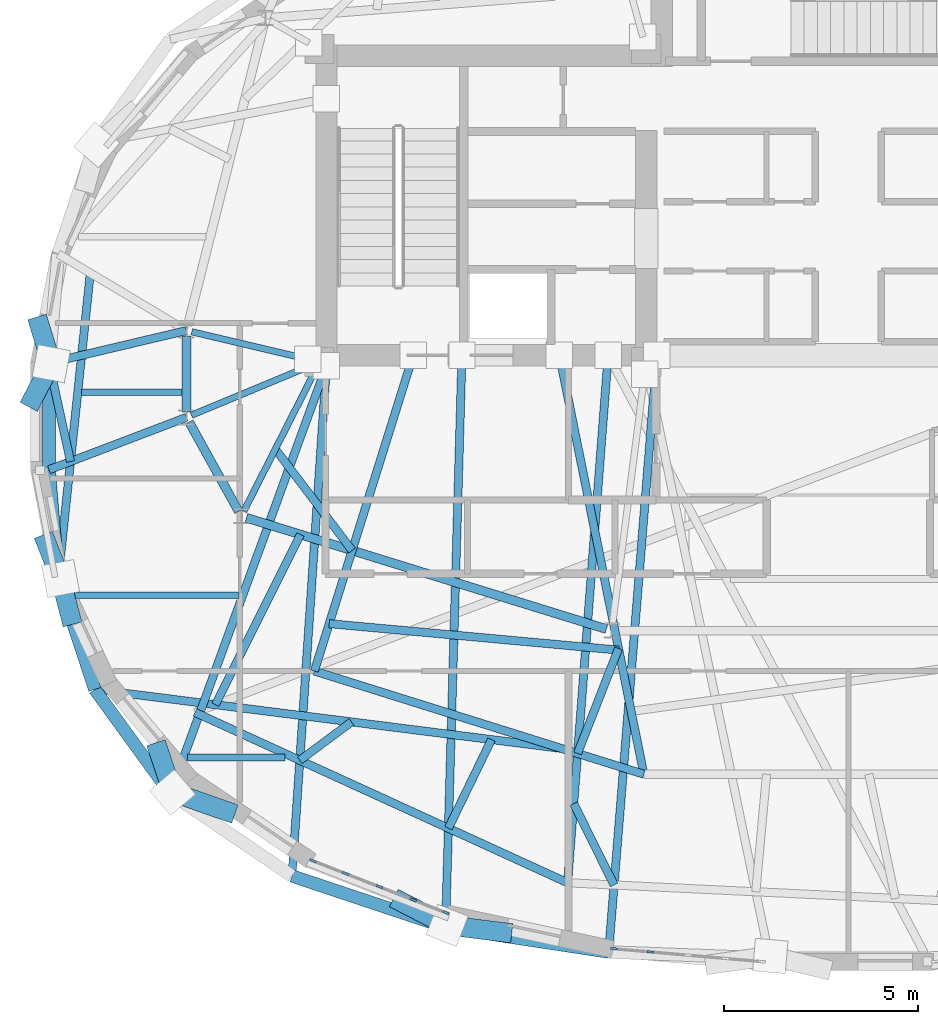
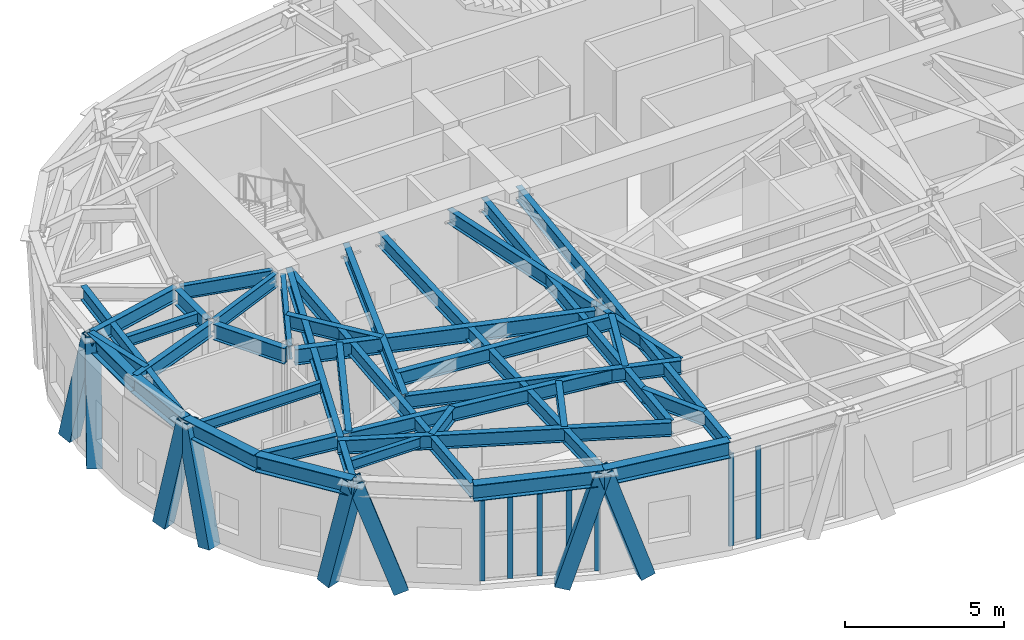
# One storey, part 2 of 15: 36 beams, 15 members, 2 elements without a shape of their own.
"""IFC4 building model written with IfcOpenShell, lengths in metres."""

from ifc_helpers import new_model, si_unit, direction, frame, origin, origin_2d, place, context, subcontext, project, spatial, rectangle, hollow_rectangle, i_section, extrude, material, layer, layer_set, material_profile, profile_set, type_object, element, aggregate, save


model = new_model("IFC4")

# Units and contexts
model_context = context("Model", 3, precision=1e-05, world=origin(), true_north=direction((0.0, 1.0)))
body_context = subcontext(model_context, "Body", "Model", "MODEL_VIEW")
ifc_project = project(units=[si_unit("LENGTHUNIT", "METRE"), si_unit("AREAUNIT", "SQUARE_METRE"), si_unit("VOLUMEUNIT", "CUBIC_METRE"), si_unit("PLANEANGLEUNIT", "RADIAN"), si_unit("MASSUNIT", "GRAM", prefix="KILO")], contexts=[model_context])

# Site, building, storey
site_placement = place(None, origin())
site = spatial("IfcSite", under=ifc_project, at=site_placement, CompositionType="ELEMENT")
building_placement = place(site_placement, origin())
building = spatial("IfcBuilding", under=site, at=building_placement, Name="Keldmark Tower", CompositionType="ELEMENT")
storey_placement = place(building_placement, frame((0.0, 0.0, 260.39990234375)))
storey = spatial("IfcBuildingStorey", under=building, at=storey_placement, Name="L74", CompositionType="ELEMENT", Elevation=260.39990234375)

# Beams
ifc_material_1 = material(Name="Steel ASTM A992 Grade 50", Category="steel")
ifc_material_profile_1 = material_profile(ifc_material_1, i_section(OverallWidth=0.177978515625, OverallDepth=0.403076171875, WebThickness=0.007568359375, FlangeThickness=0.010986328125, at=origin_2d()), Name="W16X36")
ifc_profile_set_1 = profile_set([ifc_material_profile_1], Name="Steel ASTM A992 Grade 50")
beam_type_1 = type_object("IfcBeamType", Name="Composite Floor Joist W16X36", PredefinedType="JOIST", material=ifc_profile_set_1)
beam_1_placement = place(storey_placement, frame((-16.999755859375, -8.780029296875, 3.978515625), z_axis=(1.0, 0.0, 0.0), x_axis=(0.0, 1.0, 0.0)))
element("IfcBeam", 1, at=beam_1_placement, inside=storey, type_object=beam_type_1, Name="L74 Composite Floor Joist J01", PredefinedType="JOIST", context=body_context, shape_type="SweptSolid", body=[
    extrude(i_section(OverallWidth=0.177978515625, OverallDepth=0.403076171875, WebThickness=0.007568359375, FlangeThickness=0.010986328125, at=origin_2d()), origin(), (0.0, 0.0, 1.0), 2.503173828125),
])
beam_2_placement = place(storey_placement, frame((-20.0234375, -4.60009765625, 3.978515625), z_axis=(1.0, 0.0, 0.0), x_axis=(0.0, 1.0, 0.0)))
element("IfcBeam", 2, at=beam_2_placement, inside=storey, type_object=beam_type_1, Name="L74 Composite Floor Joist J03", PredefinedType="JOIST", context=body_context, shape_type="SweptSolid", body=[
    extrude(i_section(OverallWidth=0.177978515625, OverallDepth=0.403076171875, WebThickness=0.007568359375, FlangeThickness=0.010986328125, at=origin_2d()), origin(), (0.0, 0.0, 1.0), 4.34375),
])
beam_3_placement = place(storey_placement, frame((-19.7255859375, 0.6201171875, 3.978515625), z_axis=(1.0, 0.0, 0.0), x_axis=(0.0, 1.0, 0.0)))
element("IfcBeam", 3, at=beam_3_placement, inside=storey, type_object=beam_type_1, Name="L74 Composite Floor Joist J05", PredefinedType="JOIST", context=body_context, shape_type="SweptSolid", body=[
    extrude(i_section(OverallWidth=0.177978515625, OverallDepth=0.403076171875, WebThickness=0.007568359375, FlangeThickness=0.010986328125, at=origin_2d()), origin(), (0.0, 0.0, 1.0), 2.594970703125),
])

# Curtain wall, members
ifc_material_2 = material(Name="Unitized Thermally Broken Aluminum and Triple Low-E Glazing", Category="aluminium")
ifc_layer = layer(ifc_material_2, 0.219970703125)
ifc_layer_set = layer_set([ifc_layer], Name="Unitized Thermally Broken Aluminum and Triple Low-E Glazing")
curtain_wall_type = type_object("IfcCurtainWallType", Name="Public Observation Lookout Curtain Wall System", PredefinedType="NOTDEFINED", material=ifc_layer_set)
curtain_wall_1_placement = place(storey_placement, origin())
curtain_wall_1 = element("IfcCurtainWall", 4, at=curtain_wall_1_placement, inside=storey, type_object=curtain_wall_type, Name="L74 Public Observation Lookout Curtain Wall System CW-L74-21", PredefinedType="NOTDEFINED")
ifc_material_3 = material(Name="Extruded Aluminum Alloy 6063-T6", Category="aluminium")
ifc_material_profile_2 = material_profile(ifc_material_3, rectangle(XDim=0.06005859375, YDim=0.179931640625, at=origin_2d()), Name="CWM60X180")
ifc_profile_set_2 = profile_set([ifc_material_profile_2], Name="Extruded Aluminum Alloy 6063-T6")
member_type_1 = type_object("IfcMemberType", Name="Curtain Wall Structural Mullion 60x180", PredefinedType="MULLION", material=ifc_profile_set_2)
member_1_placement = place(storey_placement, frame((-10.3525390625, -12.763916015625, 0.0), z_axis=(0.0, 0.0, 1.0), x_axis=(-0.363381340105, -0.931640489494, 0.0)))
member_1 = element("IfcMember", 5, at=member_1_placement, type_object=member_type_1, Name="CW mullion 1", PredefinedType="MULLION", context=body_context, shape_type="SweptSolid", body=[
    extrude(rectangle(XDim=0.06005859375, YDim=0.179931640625, at=origin_2d()), origin(), (0.0, 0.0, 1.0), 3.546142578125),
])
member_2_placement = place(storey_placement, frame((-11.193359375, -12.435791015625, 0.0), z_axis=(0.0, 0.0, 1.0), x_axis=(-0.363381340105, -0.931640489494, 0.0)))
member_2 = element("IfcMember", 6, at=member_2_placement, type_object=member_type_1, Name="CW mullion 2", PredefinedType="MULLION", context=body_context, shape_type="SweptSolid", body=[
    extrude(rectangle(XDim=0.06005859375, YDim=0.179931640625, at=origin_2d()), origin(), (0.0, 0.0, 1.0), 3.546142578125),
])
member_3_placement = place(storey_placement, frame((-12.062255859375, -12.096923828125, 0.0), z_axis=(0.0, 0.0, 1.0), x_axis=(-0.363381340105, -0.931640489494, 0.0)))
member_3 = element("IfcMember", 7, at=member_3_placement, type_object=member_type_1, Name="CW mullion 3", PredefinedType="MULLION", context=body_context, shape_type="SweptSolid", body=[
    extrude(rectangle(XDim=0.06005859375, YDim=0.179931640625, at=origin_2d()), origin(), (0.0, 0.0, 1.0), 3.546142578125),
])
member_4_placement = place(storey_placement, frame((-12.93115234375, -11.758056640625, 0.0), z_axis=(0.0, 0.0, 1.0), x_axis=(-0.363381340105, -0.931640489494, 0.0)))
member_4 = element("IfcMember", 8, at=member_4_placement, type_object=member_type_1, Name="CW mullion 4", PredefinedType="MULLION", context=body_context, shape_type="SweptSolid", body=[
    extrude(rectangle(XDim=0.06005859375, YDim=0.179931640625, at=origin_2d()), origin(), (0.0, 0.0, 1.0), 3.546142578125),
])
member_5_placement = place(storey_placement, frame((-13.772216796875, -11.43017578125, 0.0), z_axis=(0.0, 0.0, 1.0), x_axis=(-0.363381340105, -0.931640489494, 0.0)))
member_5 = element("IfcMember", 9, at=member_5_placement, type_object=member_type_1, Name="CW mullion 5", PredefinedType="MULLION", context=body_context, shape_type="SweptSolid", body=[
    extrude(rectangle(XDim=0.06005859375, YDim=0.179931640625, at=origin_2d()), origin(), (0.0, 0.0, 1.0), 3.546142578125),
])
aggregate(curtain_wall_1, [member_1, member_2, member_3, member_4, member_5])

curtain_wall_2_placement = place(storey_placement, origin())
curtain_wall_2 = element("IfcCurtainWall", 10, at=curtain_wall_2_placement, inside=storey, type_object=curtain_wall_type, Name="L74 Public Observation Lookout Curtain Wall System CW-L74-23", PredefinedType="NOTDEFINED")
member_6_placement = place(storey_placement, frame((-5.09375, -13.776123046875, 0.0), z_axis=(0.0, 0.0, 1.0), x_axis=(-0.086471824043, -0.996254296677, 0.0)))
member_6 = element("IfcMember", 11, at=member_6_placement, type_object=member_type_1, Name="CW mullion 4", PredefinedType="MULLION", context=body_context, shape_type="SweptSolid", body=[
    extrude(rectangle(XDim=0.06005859375, YDim=0.179931640625, at=origin_2d()), origin(), (0.0, 0.0, 1.0), 3.546142578125),
])
member_7_placement = place(storey_placement, frame((-6.031005859375, -13.694580078125, 0.0), z_axis=(0.0, 0.0, 1.0), x_axis=(-0.086471824043, -0.996254296677, 0.0)))
member_7 = element("IfcMember", 12, at=member_7_placement, type_object=member_type_1, Name="CW mullion 5", PredefinedType="MULLION", context=body_context, shape_type="SweptSolid", body=[
    extrude(rectangle(XDim=0.06005859375, YDim=0.179931640625, at=origin_2d()), origin(), (0.0, 0.0, 1.0), 3.546142578125),
])
aggregate(curtain_wall_2, [member_6, member_7])

# Members
ifc_material_4 = material(Name="Steel ASTM A572 Grade 50", Category="steel")
ifc_material_profile_3 = material_profile(ifc_material_4, hollow_rectangle(XDim=0.5, YDim=0.5, WallThickness=0.030029296875, at=origin_2d()), Name="BOX500X500X30")
ifc_profile_set_3 = profile_set([ifc_material_profile_3], Name="Steel ASTM A572 Grade 50")
member_type_2 = type_object("IfcMemberType", Name="Diagrid Upper Brace BOX500X500X30", PredefinedType="BRACE", material=ifc_profile_set_3)
member_8_placement = place(storey_placement, frame((-20.79931640625, 2.32421875, -0.2998046875), z_axis=(0.06599939355, -0.216434374882, 0.974063776875), x_axis=(0.956516093611, 0.291679554755, 0.0)))
element("IfcMember", 13, at=member_8_placement, inside=storey, type_object=member_type_2, Name="L74 Perimeter Diagrid Brace 08A", PredefinedType="BRACE", context=body_context, shape_type="SweptSolid", body=[
    extrude(hollow_rectangle(XDim=0.5, YDim=0.5, WallThickness=0.030029296875, at=origin_2d()), origin(), (0.0, 0.0, 1.0), 4.47607421875),
])
member_9_placement = place(storey_placement, frame((-20.973876953125, 0.462158203125, -0.2998046875), z_axis=(0.105502191387, 0.202062594977, 0.973673454154), x_axis=(-0.886444062374, 0.462835742227, 0.0)))
element("IfcMember", 14, at=member_9_placement, inside=storey, type_object=member_type_2, Name="L74 Perimeter Diagrid Brace 08B", PredefinedType="BRACE", context=body_context, shape_type="SweptSolid", body=[
    extrude(hollow_rectangle(XDim=0.5, YDim=0.5, WallThickness=0.030029296875, at=origin_2d()), origin(), (0.0, 0.0, 1.0), 4.477783203125),
])
member_10_placement = place(storey_placement, frame((-20.619873046875, -3.273193359375, -0.2998046875), z_axis=(0.079266131866, -0.201718639025, 0.976230746806), x_axis=(0.930720832638, 0.365730408489, 0.0)))
element("IfcMember", 15, at=member_10_placement, inside=storey, type_object=member_type_2, Name="L74 Perimeter Diagrid Brace 09A", PredefinedType="BRACE", context=body_context, shape_type="SweptSolid", body=[
    extrude(hollow_rectangle(XDim=0.5, YDim=0.5, WallThickness=0.030029296875, at=origin_2d()), origin(), (0.0, 0.0, 1.0), 4.466064453125),
])
member_11_placement = place(storey_placement, frame((-20.01806640625, -5.115234375, -0.2998046875), z_axis=(-0.055931876465, 0.213131037075, 0.975421337797), x_axis=(-0.967247703947, -0.25383435388, 0.0)))
element("IfcMember", 16, at=member_11_placement, inside=storey, type_object=member_type_2, Name="L74 Perimeter Diagrid Brace 09B", PredefinedType="BRACE", context=body_context, shape_type="SweptSolid", body=[
    extrude(hollow_rectangle(XDim=0.5, YDim=0.5, WallThickness=0.030029296875, at=origin_2d()), origin(), (0.0, 0.0, 1.0), 4.4697265625),
])
member_12_placement = place(storey_placement, frame((-17.7353515625, -8.62548828125, -0.2998046875), z_axis=(0.077730037113, -0.233081549836, 0.969345672326), x_axis=(0.948639104388, 0.316360316135, 0.0)))
element("IfcMember", 17, at=member_12_placement, inside=storey, type_object=member_type_2, Name="L74 Perimeter Diagrid Brace 10A", PredefinedType="BRACE", context=body_context, shape_type="SweptSolid", body=[
    extrude(hollow_rectangle(XDim=0.5, YDim=0.5, WallThickness=0.030029296875, at=origin_2d()), origin(), (0.0, 0.0, 1.0), 4.497802734375),
])
member_13_placement = place(storey_placement, frame((-16.0048828125, -10.151611328125, -0.2998046875), z_axis=(-0.301492272293, 0.105962701121, 0.947562301761), x_axis=(-0.331577864916, -0.943427856011, 0.0)))
element("IfcMember", 18, at=member_13_placement, inside=storey, type_object=member_type_2, Name="L74 Perimeter Diagrid Brace 10B", PredefinedType="BRACE", context=body_context, shape_type="SweptSolid", body=[
    extrude(hollow_rectangle(XDim=0.5, YDim=0.5, WallThickness=0.030029296875, at=origin_2d()), origin(), (0.0, 0.0, 1.0), 4.60107421875),
])
member_14_placement = place(storey_placement, frame((-11.4814453125, -12.49853515625, -0.2998046875), z_axis=(0.254581394802, -0.131073202845, 0.958127407455), x_axis=(0.457750168819, 0.889080864121, 0.0)))
element("IfcMember", 19, at=member_14_placement, inside=storey, type_object=member_type_2, Name="L74 Perimeter Diagrid Brace 11A", PredefinedType="BRACE", context=body_context, shape_type="SweptSolid", body=[
    extrude(hollow_rectangle(XDim=0.5, YDim=0.5, WallThickness=0.030029296875, at=origin_2d()), origin(), (0.0, 0.0, 1.0), 4.55029296875),
])
member_15_placement = place(storey_placement, frame((-8.894287109375, -13.267333984375, -0.2998046875), z_axis=(-0.313132954787, 0.038948999806, 0.948910284505), x_axis=(-0.12343367056, -0.992352824842, 0.0)))
element("IfcMember", 20, at=member_15_placement, inside=storey, type_object=member_type_2, Name="L74 Perimeter Diagrid Brace 11B", PredefinedType="BRACE", context=body_context, shape_type="SweptSolid", body=[
    extrude(hollow_rectangle(XDim=0.5, YDim=0.5, WallThickness=0.030029296875, at=origin_2d()), origin(), (0.0, 0.0, 1.0), 4.594482421875),
])

# Beams
ifc_material_5 = material(Name="Steel ASTM A992 Grade 50", Category="steel")
ifc_material_profile_4 = material_profile(ifc_material_5, i_section(OverallWidth=0.22802734375, OverallDepth=0.60302734375, WebThickness=0.010498046875, FlangeThickness=0.014892578125, at=origin_2d()), Name="W24X68")
ifc_profile_set_4 = profile_set([ifc_material_profile_4], Name="Steel ASTM A992 Grade 50")
beam_type_2 = type_object("IfcBeamType", Name="Primary Floor Girder W24X68", PredefinedType="BEAM", material=ifc_profile_set_4)
beam_4_placement = place(storey_placement, frame((-17.025634765625, 2.068115234375, 3.878662109375), z_axis=(0.0, -1.0, 0.0), x_axis=(1.0, 0.0, 0.0)))
element("IfcBeam", 21, at=beam_4_placement, inside=storey, type_object=beam_type_2, Name="L74 Floor Ring Girder FG-R06", PredefinedType="BEAM", context=body_context, shape_type="SweptSolid", body=[
    extrude(i_section(OverallWidth=0.22802734375, OverallDepth=0.60302734375, WebThickness=0.010498046875, FlangeThickness=0.014892578125, at=origin_2d()), origin(), (0.0, 0.0, 1.0), 1.9521484375),
])
beam_5_placement = place(storey_placement, frame((-16.957763671875, -0.146484375, 3.878662109375), z_axis=(0.484719680408, -0.874669555561, 0.0), x_axis=(0.874669555561, 0.484719680408, 0.0)))
element("IfcBeam", 22, at=beam_5_placement, inside=storey, type_object=beam_type_2, Name="L74 Floor Ring Girder FG-R07", PredefinedType="BEAM", context=body_context, shape_type="SweptSolid", body=[
    extrude(i_section(OverallWidth=0.22802734375, OverallDepth=0.60302734375, WebThickness=0.010498046875, FlangeThickness=0.014892578125, at=origin_2d()), origin(), (0.0, 0.0, 1.0), 2.627685546875),
])
beam_6_placement = place(storey_placement, frame((-15.482421875, -2.60888671875, 3.878662109375), z_axis=(0.955383255089, -0.295368982622, 0.0), x_axis=(0.295368982622, 0.955383255089, 0.0)))
element("IfcBeam", 23, at=beam_6_placement, inside=storey, type_object=beam_type_2, Name="L74 Floor Ring Girder FG-R08", PredefinedType="BEAM", context=body_context, shape_type="SweptSolid", body=[
    extrude(i_section(OverallWidth=0.22802734375, OverallDepth=0.60302734375, WebThickness=0.010498046875, FlangeThickness=0.014892578125, at=origin_2d()), origin(), (0.0, 0.0, 1.0), 9.69140625),
])
ifc_material_6 = material(Name="Steel ASTM A992 Grade 50", Category="steel")
ifc_material_profile_5 = material_profile(ifc_material_6, i_section(OverallWidth=0.166015625, OverallDepth=0.529052734375, WebThickness=0.009765625, FlangeThickness=0.013671875, at=origin_2d()), Name="W21X50")
ifc_profile_set_5 = profile_set([ifc_material_profile_5], Name="Steel ASTM A992 Grade 50")
beam_type_3 = type_object("IfcBeamType", Name="Radial Tie Girder W21X50", PredefinedType="BEAM", material=ifc_profile_set_5)
beam_7_placement = place(storey_placement, frame((-16.889404296875, 2.17578125, 3.91552734375), z_axis=(0.97329039005, -0.229577474147, 0.0), x_axis=(0.229577474147, 0.97329039005, 0.0)))
element("IfcBeam", 24, at=beam_7_placement, inside=storey, type_object=beam_type_3, Name="L74 Floor Radial Girder FG-C06", PredefinedType="BEAM", context=body_context, shape_type="SweptSolid", body=[
    extrude(i_section(OverallWidth=0.166015625, OverallDepth=0.529052734375, WebThickness=0.009765625, FlangeThickness=0.013671875, at=origin_2d()), origin(), (0.0, 0.0, 1.0), 3.0595703125),
])
beam_8_placement = place(storey_placement, frame((-16.896240234375, 0.02978515625, 3.91552734375), z_axis=(0.923403331902, 0.383831065226, 0.0), x_axis=(-0.383831065226, 0.923403331902, 0.0)))
element("IfcBeam", 25, at=beam_8_placement, inside=storey, type_object=beam_type_3, Name="L74 Floor Radial Girder FG-C07", PredefinedType="BEAM", context=body_context, shape_type="SweptSolid", body=[
    extrude(i_section(OverallWidth=0.166015625, OverallDepth=0.529052734375, WebThickness=0.009765625, FlangeThickness=0.013671875, at=origin_2d()), origin(), (0.0, 0.0, 1.0), 3.249755859375),
])
beam_9_placement = place(storey_placement, frame((-15.552734375, -2.442626953125, 3.91552734375), z_axis=(0.453004410574, 0.89150827478, 0.0), x_axis=(-0.89150827478, 0.453004410574, 0.0)))
element("IfcBeam", 26, at=beam_9_placement, inside=storey, type_object=beam_type_3, Name="L74 Floor Radial Girder FG-C08", PredefinedType="BEAM", context=body_context, shape_type="SweptSolid", body=[
    extrude(i_section(OverallWidth=0.166015625, OverallDepth=0.529052734375, WebThickness=0.009765625, FlangeThickness=0.013671875, at=origin_2d()), origin(), (0.0, 0.0, 1.0), 3.990234375),
])
ifc_material_7 = material(Name="Steel ASTM A992 Grade 50", Category="steel")
ifc_material_profile_6 = material_profile(ifc_material_7, i_section(OverallWidth=0.2099609375, OverallDepth=0.537109375, WebThickness=0.010986328125, FlangeThickness=0.017333984375, at=origin_2d()), Name="W21X68")
ifc_profile_set_6 = profile_set([ifc_material_profile_6], Name="Steel ASTM A992 Grade 50")
beam_type_4 = type_object("IfcBeamType", Name="Radial Tie Girder W21X68", PredefinedType="BEAM", material=ifc_profile_set_6)
beam_10_placement = place(storey_placement, frame((-14.7392578125, -0.841796875, 3.91162109375), z_axis=(0.603708199785, -0.797205374738, 0.0), x_axis=(0.797205374738, 0.603708199785, 0.0)))
element("IfcBeam", 27, at=beam_10_placement, inside=storey, type_object=beam_type_4, Name="L74 Framing Pin Header PH-001", PredefinedType="BEAM", context=body_context, shape_type="SweptSolid", body=[
    extrude(i_section(OverallWidth=0.2099609375, OverallDepth=0.537109375, WebThickness=0.010986328125, FlangeThickness=0.017333984375, at=origin_2d()), origin(), (0.0, 0.0, 1.0), 3.2705078125),
])
beam_11_placement = place(storey_placement, frame((-11.19287109375, 1.574951171875, 3.91162109375), z_axis=(-0.298616210792, -0.954373280563, 0.0), x_axis=(0.954373280563, -0.298616210792, 0.0)))
element("IfcBeam", 28, at=beam_11_placement, inside=storey, type_object=beam_type_4, Name="L74 Sub-Ring Step Girder STP1-M08", PredefinedType="BEAM", context=body_context, shape_type="SweptSolid", body=[
    extrude(i_section(OverallWidth=0.2099609375, OverallDepth=0.537109375, WebThickness=0.010986328125, FlangeThickness=0.017333984375, at=origin_2d()), origin(), (0.0, 0.0, 1.0), 8.51416015625),
])
beam_12_placement = place(storey_placement, frame((-13.35400390625, -5.331787109375, 3.91162109375), z_axis=(0.995843843196, -0.091077110016, 0.0), x_axis=(0.091077110016, 0.995843843196, 0.0)))
element("IfcBeam", 29, at=beam_12_placement, inside=storey, type_object=beam_type_4, Name="L74 Framing Pin Header PH-002", PredefinedType="BEAM", context=body_context, shape_type="SweptSolid", body=[
    extrude(i_section(OverallWidth=0.2099609375, OverallDepth=0.537109375, WebThickness=0.010986328125, FlangeThickness=0.017333984375, at=origin_2d()), origin(), (0.0, 0.0, 1.0), 7.4814453125),
])
beam_13_placement = place(storey_placement, frame((-7.43212890625, 1.574951171875, 3.91162109375), z_axis=(0.197477891915, -0.980307340687, 0.0), x_axis=(0.980307340687, 0.197477891915, 0.0)))
element("IfcBeam", 30, at=beam_13_placement, inside=storey, type_object=beam_type_4, Name="L74 Sub-Ring Step Girder STP1-M09", PredefinedType="BEAM", context=body_context, shape_type="SweptSolid", body=[
    extrude(i_section(OverallWidth=0.2099609375, OverallDepth=0.537109375, WebThickness=0.010986328125, FlangeThickness=0.017333984375, at=origin_2d()), origin(), (0.0, 0.0, 1.0), 10.996826171875),
])
beam_14_placement = place(storey_placement, frame((-13.7353515625, -6.55078125, 3.91162109375), z_axis=(0.95428263918, -0.298905745277, 0.0), x_axis=(0.298905745277, 0.95428263918, 0.0)))
element("IfcBeam", 31, at=beam_14_placement, inside=storey, type_object=beam_type_4, Name="L74 Perimeter Collector Ring Beam CRG1-M08", PredefinedType="BEAM", context=body_context, shape_type="SweptSolid", body=[
    extrude(i_section(OverallWidth=0.2099609375, OverallDepth=0.537109375, WebThickness=0.010986328125, FlangeThickness=0.017333984375, at=origin_2d()), origin(), (0.0, 0.0, 1.0), 8.880859375),
])
beam_15_placement = place(storey_placement, frame((-5.912109375, -5.97119140625, 3.91162109375), z_axis=(-0.363462252739, -0.931608925909, 0.0), x_axis=(0.931608925909, -0.363462252739, 0.0)))
element("IfcBeam", 32, at=beam_15_placement, inside=storey, type_object=beam_type_4, Name="L74 Framing Pin Header PH-004", PredefinedType="BEAM", context=body_context, shape_type="SweptSolid", body=[
    extrude(i_section(OverallWidth=0.2099609375, OverallDepth=0.537109375, WebThickness=0.010986328125, FlangeThickness=0.017333984375, at=origin_2d()), origin(), (0.0, 0.0, 1.0), 2.8984375),
])
beam_16_placement = place(storey_placement, frame((-6.1787109375, 1.574951171875, 3.91162109375), z_axis=(-0.076567572096, -0.997064394562, 0.0), x_axis=(0.997064394562, -0.076567572096, 0.0)))
element("IfcBeam", 33, at=beam_16_placement, inside=storey, type_object=beam_type_4, Name="L74 Sub-Ring Step Girder STP2-M09", PredefinedType="BEAM", context=body_context, shape_type="SweptSolid", body=[
    extrude(i_section(OverallWidth=0.2099609375, OverallDepth=0.537109375, WebThickness=0.010986328125, FlangeThickness=0.017333984375, at=origin_2d()), origin(), (0.0, 0.0, 1.0), 13.612060546875),
])
beam_17_placement = place(storey_placement, frame((-16.805908203125, -7.615478515625, 3.91162109375), z_axis=(0.909478229583, -0.415751548302, 0.0), x_axis=(0.415751548302, 0.909478229583, 0.0)))
element("IfcBeam", 34, at=beam_17_placement, inside=storey, type_object=beam_type_4, Name="L74 Perimeter Collector Ring Beam CRG2-M08", PredefinedType="BEAM", context=body_context, shape_type="SweptSolid", body=[
    extrude(i_section(OverallWidth=0.2099609375, OverallDepth=0.537109375, WebThickness=0.010986328125, FlangeThickness=0.017333984375, at=origin_2d()), origin(), (0.0, 0.0, 1.0), 10.5390625),
])
beam_18_placement = place(storey_placement, frame((-17.025634765625, 2.2080078125, 3.91162109375), z_axis=(-0.973214964991, -0.229897002847, 0.0), x_axis=(0.229897002847, -0.973214964991, 0.0)))
element("IfcBeam", 35, at=beam_18_placement, inside=storey, type_object=beam_type_4, Name="L74 Perimeter Column Bracket RT-16", PredefinedType="BEAM", context=body_context, shape_type="SweptSolid", body=[
    extrude(i_section(OverallWidth=0.2099609375, OverallDepth=0.537109375, WebThickness=0.010986328125, FlangeThickness=0.017333984375, at=origin_2d()), origin(), (0.0, 0.0, 1.0), 3.633056640625),
])
beam_19_placement = place(storey_placement, frame((-17.025634765625, -0.02392578125, 3.91162109375), z_axis=(-0.934314901989, -0.356448683434, 0.0), x_axis=(0.356448683434, -0.934314901989, 0.0)))
element("IfcBeam", 36, at=beam_19_placement, inside=storey, type_object=beam_type_4, Name="L74 Perimeter Column Bracket RT-17", PredefinedType="BEAM", context=body_context, shape_type="SweptSolid", body=[
    extrude(i_section(OverallWidth=0.2099609375, OverallDepth=0.537109375, WebThickness=0.010986328125, FlangeThickness=0.017333984375, at=origin_2d()), origin(), (0.0, 0.0, 1.0), 3.7841796875),
])
beam_20_placement = place(storey_placement, frame((-20.561279296875, 1.372802734375, 3.91162109375), z_axis=(0.212863283253, -0.977081993818, 0.0), x_axis=(0.977081993818, 0.212863283253, 0.0)))
element("IfcBeam", 37, at=beam_20_placement, inside=storey, type_object=beam_type_4, Name="L74 Framing Pin Header PH-009", PredefinedType="BEAM", context=body_context, shape_type="SweptSolid", body=[
    extrude(i_section(OverallWidth=0.2099609375, OverallDepth=0.537109375, WebThickness=0.010986328125, FlangeThickness=0.017333984375, at=origin_2d()), origin(), (0.0, 0.0, 1.0), 2.594482421875),
])
beam_21_placement = place(storey_placement, frame((-19.50048828125, 3.68701171875, 3.91162109375), z_axis=(-0.104291148232, -0.994546809557, 0.0), x_axis=(0.994546809557, -0.104291148232, 0.0)))
element("IfcBeam", 38, at=beam_21_placement, inside=storey, type_object=beam_type_4, Name="L74 Perimeter Radial Tie Girder RT-18", PredefinedType="BEAM", context=body_context, shape_type="SweptSolid", body=[
    extrude(i_section(OverallWidth=0.2099609375, OverallDepth=0.537109375, WebThickness=0.010986328125, FlangeThickness=0.017333984375, at=origin_2d()), origin(), (0.0, 0.0, 1.0), 7.91015625),
])
beam_22_placement = place(storey_placement, frame((-14.093505859375, -3.0380859375, 3.91162109375), z_axis=(-0.446934239791, -0.894566814331, 0.0), x_axis=(0.894566814331, -0.446934239791, 0.0)))
element("IfcBeam", 39, at=beam_22_placement, inside=storey, type_object=beam_type_4, Name="L74 Framing Pin Header PH-010", PredefinedType="BEAM", context=body_context, shape_type="SweptSolid", body=[
    extrude(i_section(OverallWidth=0.2099609375, OverallDepth=0.537109375, WebThickness=0.010986328125, FlangeThickness=0.017333984375, at=origin_2d()), origin(), (0.0, 0.0, 1.0), 4.89453125),
])
beam_23_placement = place(storey_placement, frame((-7.379150390625, -8.541748046875, 3.91162109375), z_axis=(-0.992104966681, 0.12541026707, 0.0), x_axis=(-0.12541026707, -0.992104966681, 0.0)))
element("IfcBeam", 40, at=beam_23_placement, inside=storey, type_object=beam_type_4, Name="L74 Perimeter Radial Tie Girder RT-19", PredefinedType="BEAM", context=body_context, shape_type="SweptSolid", body=[
    extrude(i_section(OverallWidth=0.2099609375, OverallDepth=0.537109375, WebThickness=0.010986328125, FlangeThickness=0.017333984375, at=origin_2d()), origin(), (0.0, 0.0, 1.0), 12.100830078125),
])
beam_24_placement = place(storey_placement, frame((-13.425048828125, 1.300048828125, 3.91162109375), z_axis=(-0.342713680691, -0.939439903915, 0.0), x_axis=(0.939439903915, -0.342713680691, 0.0)))
element("IfcBeam", 41, at=beam_24_placement, inside=storey, type_object=beam_type_4, Name="L74 Perimeter Radial Tie Girder RT-20", PredefinedType="BEAM", context=body_context, shape_type="SweptSolid", body=[
    extrude(i_section(OverallWidth=0.2099609375, OverallDepth=0.537109375, WebThickness=0.010986328125, FlangeThickness=0.017333984375, at=origin_2d()), origin(), (0.0, 0.0, 1.0), 11.71142578125),
])
beam_25_placement = place(storey_placement, frame((-12.781494140625, -7.85888671875, 3.91162109375), z_axis=(-0.802328419722, -0.596882825106, 0.0), x_axis=(0.596882825106, -0.802328419722, 0.0)))
element("IfcBeam", 42, at=beam_25_placement, inside=storey, type_object=beam_type_4, Name="L74 Framing Pin Header PH-011", PredefinedType="BEAM", context=body_context, shape_type="SweptSolid", body=[
    extrude(i_section(OverallWidth=0.2099609375, OverallDepth=0.537109375, WebThickness=0.010986328125, FlangeThickness=0.017333984375, at=origin_2d()), origin(), (0.0, 0.0, 1.0), 1.656494140625),
])
beam_26_placement = place(storey_placement, frame((-13.425048828125, 1.300048828125, 3.91162109375), z_axis=(-0.067402371247, -0.997725874351, 0.0), x_axis=(0.997725874351, -0.067402371247, 0.0)))
element("IfcBeam", 43, at=beam_26_placement, inside=storey, type_object=beam_type_4, Name="L74 Perimeter Radial Tie Girder RT-21", PredefinedType="BEAM", context=body_context, shape_type="SweptSolid", body=[
    extrude(i_section(OverallWidth=0.2099609375, OverallDepth=0.537109375, WebThickness=0.010986328125, FlangeThickness=0.017333984375, at=origin_2d()), origin(), (0.0, 0.0, 1.0), 13.152099609375),
])
beam_27_placement = place(storey_placement, frame((-9.179931640625, -8.314208984375, 3.91162109375), z_axis=(-0.43701747366, -0.899453015847, 0.0), x_axis=(0.899453015847, -0.43701747366, 0.0)))
element("IfcBeam", 44, at=beam_27_placement, inside=storey, type_object=beam_type_4, Name="L74 Framing Pin Header PH-012", PredefinedType="BEAM", context=body_context, shape_type="SweptSolid", body=[
    extrude(i_section(OverallWidth=0.2099609375, OverallDepth=0.537109375, WebThickness=0.010986328125, FlangeThickness=0.017333984375, at=origin_2d()), origin(), (0.0, 0.0, 1.0), 2.53564453125),
])
beam_28_placement = place(storey_placement, frame((-9.939208984375, 1.574951171875, 3.91162109375), z_axis=(-0.028655403234, -0.999589349616, 0.0), x_axis=(0.999589349616, -0.028655403234, 0.0)))
element("IfcBeam", 45, at=beam_28_placement, inside=storey, type_object=beam_type_4, Name="L74 Perimeter Radial Tie Girder RT-22", PredefinedType="BEAM", context=body_context, shape_type="SweptSolid", body=[
    extrude(i_section(OverallWidth=0.2099609375, OverallDepth=0.537109375, WebThickness=0.010986328125, FlangeThickness=0.017333984375, at=origin_2d()), origin(), (0.0, 0.0, 1.0), 14.722412109375),
])
beam_29_placement = place(storey_placement, frame((-7.064697265625, -9.961181640625, 3.91162109375), z_axis=(0.444410976915, -0.895823020243, 0.0), x_axis=(0.895823020243, 0.444410976915, 0.0)))
element("IfcBeam", 46, at=beam_29_placement, inside=storey, type_object=beam_type_4, Name="L74 Framing Pin Header PH-013", PredefinedType="BEAM", context=body_context, shape_type="SweptSolid", body=[
    extrude(i_section(OverallWidth=0.2099609375, OverallDepth=0.537109375, WebThickness=0.010986328125, FlangeThickness=0.017333984375, at=origin_2d()), origin(), (0.0, 0.0, 1.0), 2.33642578125),
])
beam_30_placement = place(storey_placement, frame((-4.925048828125, 1.574951171875, 3.91162109375), z_axis=(-0.080543939235, -0.996751059118, 0.0), x_axis=(0.996751059118, -0.080543939235, 0.0)))
element("IfcBeam", 47, at=beam_30_placement, inside=storey, type_object=beam_type_4, Name="L74 Perimeter Radial Tie Girder RT-23", PredefinedType="BEAM", context=body_context, shape_type="SweptSolid", body=[
    extrude(i_section(OverallWidth=0.2099609375, OverallDepth=0.537109375, WebThickness=0.010986328125, FlangeThickness=0.017333984375, at=origin_2d()), origin(), (0.0, 0.0, 1.0), 15.404296875),
])
ifc_material_8 = material(Name="Steel ASTM A992 Grade 50", Category="steel")
ifc_material_profile_7 = material_profile(ifc_material_8, i_section(OverallWidth=0.326904296875, OverallDepth=0.6220703125, WebThickness=0.015380859375, FlangeThickness=0.0244140625, at=origin_2d()), Name="W24X131")
ifc_profile_set_7 = profile_set([ifc_material_profile_7], Name="Steel ASTM A992 Grade 50")
beam_type_5 = type_object("IfcBeamType", Name="Spandrel Ring Beam W24X131", PredefinedType="SPANDREL", material=ifc_profile_set_7)
beam_31_placement = place(storey_placement, frame((-20.561279296875, 1.372802734375, 3.869140625), z_axis=(0.0, -1.0, 0.0), x_axis=(1.0, 0.0, 0.0)))
element("IfcBeam", 48, at=beam_31_placement, inside=storey, type_object=beam_type_5, Name="L74 Perimeter Spandrel Ring Beam SRB-16", PredefinedType="SPANDREL", context=body_context, shape_type="SweptSolid", body=[
    extrude(i_section(OverallWidth=0.326904296875, OverallDepth=0.6220703125, WebThickness=0.015380859375, FlangeThickness=0.0244140625, at=origin_2d()), origin(), (0.0, 0.0, 1.0), 2.74560546875),
])
beam_32_placement = place(storey_placement, frame((-20.561279296875, -1.372802734375, 3.869140625), z_axis=(0.083719665048, -0.996489346498, 0.0), x_axis=(0.996489346498, 0.083719665048, 0.0)))
element("IfcBeam", 49, at=beam_32_placement, inside=storey, type_object=beam_type_5, Name="L74 Perimeter Spandrel Ring Beam SRB-17", PredefinedType="SPANDREL", context=body_context, shape_type="SweptSolid", body=[
    extrude(i_section(OverallWidth=0.326904296875, OverallDepth=0.6220703125, WebThickness=0.015380859375, FlangeThickness=0.0244140625, at=origin_2d()), origin(), (0.0, 0.0, 1.0), 2.817138671875),
])
beam_33_placement = place(storey_placement, frame((-20.325439453125, -4.179931640625, 3.869140625), z_axis=(0.314075527336, -0.949398000381, 0.0), x_axis=(0.949398000381, 0.314075527336, 0.0)))
element("IfcBeam", 50, at=beam_33_placement, inside=storey, type_object=beam_type_5, Name="L74 Perimeter Spandrel Ring Beam SRB-18", PredefinedType="SPANDREL", context=body_context, shape_type="SweptSolid", body=[
    extrude(i_section(OverallWidth=0.326904296875, OverallDepth=0.6220703125, WebThickness=0.015380859375, FlangeThickness=0.0244140625, at=origin_2d()), origin(), (0.0, 0.0, 1.0), 2.995849609375),
])
beam_34_placement = place(storey_placement, frame((-19.384521484375, -7.024169921875, 3.869140625), z_axis=(0.587812043437, -0.808997528791, 0.0), x_axis=(0.808997528791, 0.587812043437, 0.0)))
element("IfcBeam", 51, at=beam_34_placement, inside=storey, type_object=beam_type_5, Name="L74 Perimeter Spandrel Ring Beam SRB-19", PredefinedType="SPANDREL", context=body_context, shape_type="SweptSolid", body=[
    extrude(i_section(OverallWidth=0.326904296875, OverallDepth=0.6220703125, WebThickness=0.015380859375, FlangeThickness=0.0244140625, at=origin_2d()), origin(), (0.0, 0.0, 1.0), 3.310302734375),
])
beam_35_placement = place(storey_placement, frame((-14.3115234375, -11.822021484375, 3.869140625), z_axis=(0.948501424935, -0.316772863256, 0.0), x_axis=(0.316772863256, 0.948501424935, 0.0)))
element("IfcBeam", 52, at=beam_35_placement, inside=storey, type_object=beam_type_5, Name="L74 Perimeter Spandrel Ring Beam SRB-21", PredefinedType="SPANDREL", context=body_context, shape_type="SweptSolid", body=[
    extrude(i_section(OverallWidth=0.326904296875, OverallDepth=0.6220703125, WebThickness=0.015380859375, FlangeThickness=0.0244140625, at=origin_2d()), origin(), (0.0, 0.0, 1.0), 4.1650390625),
])
beam_36_placement = place(storey_placement, frame((-10.361083984375, -13.141357421875, 3.869140625), z_axis=(0.988635572728, -0.15033198042, 0.0), x_axis=(0.15033198042, 0.988635572728, 0.0)))
element("IfcBeam", 53, at=beam_36_placement, inside=storey, type_object=beam_type_5, Name="L74 Perimeter Spandrel Ring Beam SRB-22", PredefinedType="SPANDREL", context=body_context, shape_type="SweptSolid", body=[
    extrude(i_section(OverallWidth=0.326904296875, OverallDepth=0.6220703125, WebThickness=0.015380859375, FlangeThickness=0.0244140625, at=origin_2d()), origin(), (0.0, 0.0, 1.0), 4.24365234375),
])

save(model, "model.ifc")
